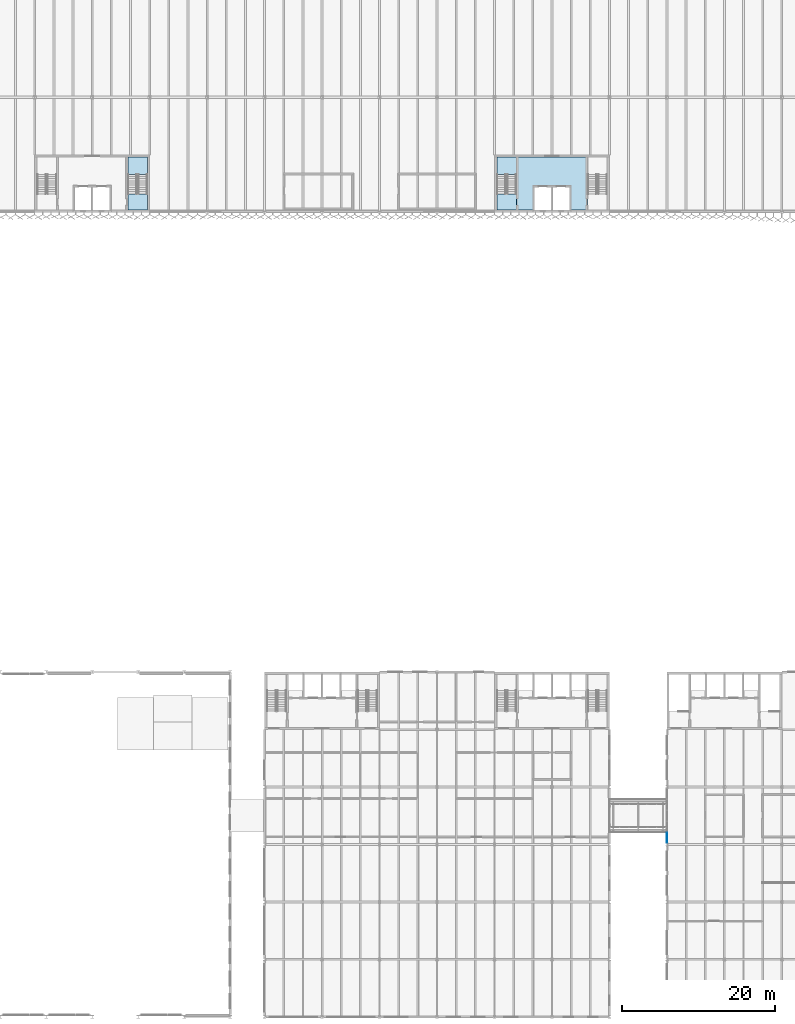
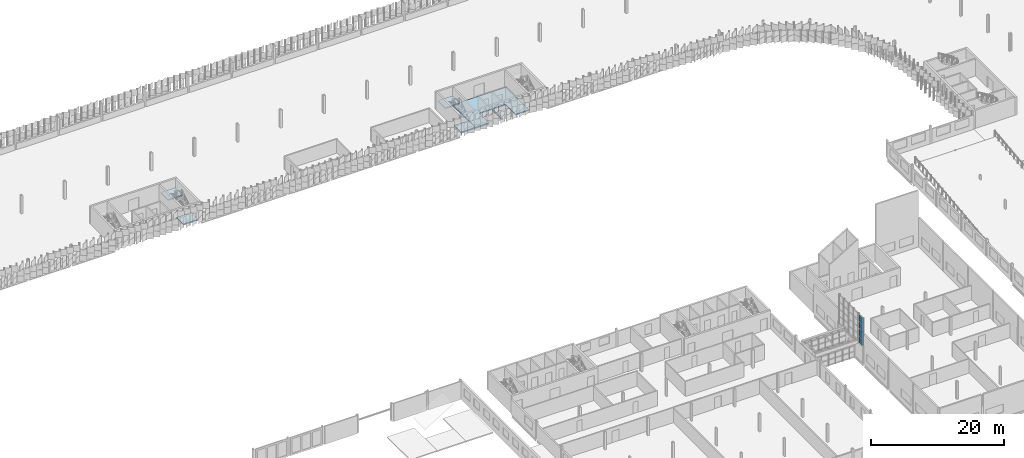
# One storey, part 40 of 198: 5 slabs, 4 plates, 3 elements without a shape of their own.
"""IFC4 building model written with IfcOpenShell, lengths in metres."""

from ifc_helpers import new_model, si_unit, direction, frame, origin, origin_2d, place, context, subcontext, project, spatial, polyline, rectangle, outline, extrude, material, layer, layer_set, type_object, element, aggregate, save


model = new_model("IFC4")

# Units and contexts
model_context = context("Model", 3, precision=1e-05, world=origin(), true_north=direction((0.0, 1.0)))
body_context = subcontext(model_context, "Body", "Model", "MODEL_VIEW")
ifc_project = project(units=[si_unit("LENGTHUNIT", "METRE"), si_unit("AREAUNIT", "SQUARE_METRE"), si_unit("VOLUMEUNIT", "CUBIC_METRE"), si_unit("PLANEANGLEUNIT", "RADIAN"), si_unit("MASSUNIT", "GRAM", prefix="KILO")], contexts=[model_context])

# Site, building, storey
site_placement = place(None, origin())
site = spatial("IfcSite", under=ifc_project, at=site_placement, CompositionType="ELEMENT")
building_placement = place(site_placement, origin())
building = spatial("IfcBuilding", under=site, at=building_placement, Name="Parallax Yard Mobility Hub", CompositionType="ELEMENT")
storey_placement = place(building_placement, frame((0.0, 0.0, 6.60009765625)))
storey = spatial("IfcBuildingStorey", under=building, at=storey_placement, Name="L02", CompositionType="ELEMENT", Elevation=6.60009765625)

# Slab
ifc_material_1 = material(Name="Concrete fc' 35 MPa", Category="concrete")
ifc_layer_1 = layer(ifc_material_1, 0.199951171875)
ifc_layer_set_1 = layer_set([ifc_layer_1], Name="Core floor slab 200")
slab_type_1 = type_object("IfcSlabType", Name="Core floor slab 200", PredefinedType="FLOOR", material=ifc_layer_set_1)
slab_1_placement = place(storey_placement, frame((0.0, 0.0, -0.2001953125)))
element("IfcSlab", 1, at=slab_1_placement, inside=storey, type_object=slab_type_1, Name="Core C-N2 floor slab level L02", PredefinedType="FLOOR", context=body_context, shape_type="SweptSolid", body=[
    extrude(outline(polyline([(139.64990234375, 119.699951171875), (139.64990234375, 112.800048828125), (137.300048828125, 112.800048828125), (137.300048828125, 115.800048828125), (135.10009765625, 115.800048828125), (135.10009765625, 112.800048828125), (134.89990234375, 112.800048828125), (134.89990234375, 115.800048828125), (132.699951171875, 115.800048828125), (132.699951171875, 112.800048828125), (130.35009765625, 112.800048828125), (130.35009765625, 119.699951171875), (139.64990234375, 119.699951171875)])), origin(), (0.0, 0.0, 1.0), 0.2001953125),
])

# Stair, slab
stair_type = type_object("IfcStairType", Name="Exit stair 1200 dog-leg", PredefinedType="HALF_TURN_STAIR", material=ifc_material_1)
stair_1_placement = place(storey_placement, origin())
stair_1 = element("IfcStair", 2, at=stair_1_placement, inside=storey, type_object=stair_type, Name="L02 Exit stair 1 of core C-N1", PredefinedType="HALF_TURN_STAIR")
ifc_layer_2 = layer(ifc_material_1, 0.199951171875)
ifc_layer_set_2 = layer_set([ifc_layer_2], Name="Exit stair landing 200")
slab_type_2 = type_object("IfcSlabType", Name="Exit stair landing 200", PredefinedType="LANDING", material=ifc_layer_set_2)
slab_2_placement = place(storey_placement, frame((0.0, 0.0, 1.449951171875)))
slab_2 = element("IfcSlab", 3, at=slab_2_placement, type_object=slab_type_2, Name="ST3 landing 1", PredefinedType="LANDING", context=body_context, shape_type="SweptSolid", body=[
    extrude(outline(polyline([(82.199951171875, 117.465087890625), (82.199951171875, 119.699951171875), (79.64990234375, 119.699951171875), (79.64990234375, 117.465087890625), (82.199951171875, 117.465087890625)])), origin(), (0.0, 0.0, 1.0), 0.199951171875),
])
aggregate(stair_1, [slab_2])

stair_2_placement = place(storey_placement, origin())
stair_2 = element("IfcStair", 4, at=stair_2_placement, inside=storey, type_object=stair_type, Name="L02 Exit stair 2 of core C-N2", PredefinedType="HALF_TURN_STAIR")
slab_3_placement = place(storey_placement, frame((0.0, 0.0, 1.449951171875)))
slab_3 = element("IfcSlab", 5, at=slab_3_placement, type_object=slab_type_2, Name="ST6 landing 1", PredefinedType="LANDING", context=body_context, shape_type="SweptSolid", body=[
    extrude(outline(polyline([(130.35009765625, 117.465087890625), (130.35009765625, 119.699951171875), (127.800048828125, 119.699951171875), (127.800048828125, 117.465087890625), (130.35009765625, 117.465087890625)])), origin(), (0.0, 0.0, 1.0), 0.199951171875),
])
aggregate(stair_2, [slab_3])

# Curtain wall, plates
ifc_material_2 = material(Name="Thermally broken aluminium curtain wall system", Category="aluminium")
curtain_wall_type = type_object("IfcCurtainWallType", Name="Clerestory glazing run 60 x 120 frame", PredefinedType="NOTDEFINED", material=ifc_material_2)
curtain_wall_placement = place(storey_placement, origin())
curtain_wall = element("IfcCurtainWall", 6, at=curtain_wall_placement, inside=storey, type_object=curtain_wall_type, Name="Clerestory glazing run Bicycle and shared-mobility hall west bay 4 level L02", PredefinedType="NOTDEFINED")
ifc_material_3 = material(Name="Laminated low-E double glazing", Category="glass")
ifc_layer_3 = layer(ifc_material_3, 0.028076171875)
ifc_layer_set_3 = layer_set([ifc_layer_3], Name="Glazing panel 28")
plate_type = type_object("IfcPlateType", Name="Glazing panel 28", PredefinedType="CURTAIN_PANEL", material=ifc_layer_set_3)
plate_1_placement = place(storey_placement, frame((150.0, 30.872802734375, 2.9599609375), z_axis=(0.0, 0.0, 1.0), x_axis=(0.0, 1.0, 0.0)))
plate_1 = element("IfcPlate", 7, at=plate_1_placement, type_object=plate_type, Name="CW4 panel 1.1", PredefinedType="CURTAIN_PANEL", context=body_context, shape_type="SweptSolid", body=[
    extrude(rectangle(XDim=1.318603515625, YDim=0.028076171875, at=origin_2d()), origin(), (0.0, 0.0, 1.0), 1.233154296875),
])
plate_2_placement = place(storey_placement, frame((150.0, 30.872802734375, 4.253173828125), z_axis=(0.0, 0.0, 1.0), x_axis=(0.0, 1.0, 0.0)))
plate_2 = element("IfcPlate", 8, at=plate_2_placement, type_object=plate_type, Name="CW4 panel 1.2", PredefinedType="CURTAIN_PANEL", context=body_context, shape_type="SweptSolid", body=[
    extrude(rectangle(XDim=1.318603515625, YDim=0.028076171875, at=origin_2d()), origin(), (0.0, 0.0, 1.0), 1.26318359375),
])
plate_3_placement = place(storey_placement, frame((150.0, 30.872802734375, 5.576171875), z_axis=(0.0, 0.0, 1.0), x_axis=(0.0, 1.0, 0.0)))
plate_3 = element("IfcPlate", 9, at=plate_3_placement, type_object=plate_type, Name="CW4 panel 1.3", PredefinedType="CURTAIN_PANEL", context=body_context, shape_type="SweptSolid", body=[
    extrude(rectangle(XDim=1.318603515625, YDim=0.028076171875, at=origin_2d()), origin(), (0.0, 0.0, 1.0), 1.26318359375),
])
plate_4_placement = place(storey_placement, frame((150.0, 30.872802734375, 6.8994140625), z_axis=(0.0, 0.0, 1.0), x_axis=(0.0, 1.0, 0.0)))
plate_4 = element("IfcPlate", 10, at=plate_4_placement, type_object=plate_type, Name="CW4 panel 1.4", PredefinedType="CURTAIN_PANEL", context=body_context, shape_type="SweptSolid", body=[
    extrude(rectangle(XDim=1.318603515625, YDim=0.028076171875, at=origin_2d()), origin(), (0.0, 0.0, 1.0), 1.233154296875),
])
aggregate(curtain_wall, [plate_1, plate_2, plate_3, plate_4])

# Slabs
ifc_layer_4 = layer(ifc_material_1, 0.199951171875)
ifc_layer_set_4 = layer_set([ifc_layer_4], Name="Stair floor landing slab 200")
slab_type_3 = type_object("IfcSlabType", Name="Stair floor landing slab 200", PredefinedType="FLOOR", material=ifc_layer_set_4)
slab_4_placement = place(storey_placement, frame((0.0, 0.0, -0.2001953125)))
element("IfcSlab", 11, at=slab_4_placement, inside=storey, type_object=slab_type_3, Name="Core C-N1 exit stair 1 floor landing level L02", PredefinedType="FLOOR", context=body_context, shape_type="SweptSolid", body=[
    extrude(outline(polyline([(79.64990234375, 114.89990234375), (79.64990234375, 112.800048828125), (82.199951171875, 112.800048828125), (82.199951171875, 114.89990234375), (79.64990234375, 114.89990234375)])), origin(), (0.0, 0.0, 1.0), 0.2001953125),
])
slab_5_placement = place(storey_placement, frame((0.0, 0.0, -0.2001953125)))
element("IfcSlab", 12, at=slab_5_placement, inside=storey, type_object=slab_type_3, Name="Core C-N2 exit stair 2 floor landing level L02", PredefinedType="FLOOR", context=body_context, shape_type="SweptSolid", body=[
    extrude(outline(polyline([(127.800048828125, 114.89990234375), (127.800048828125, 112.800048828125), (130.35009765625, 112.800048828125), (130.35009765625, 114.89990234375), (127.800048828125, 114.89990234375)])), origin(), (0.0, 0.0, 1.0), 0.2001953125),
])

save(model, "model.ifc")
